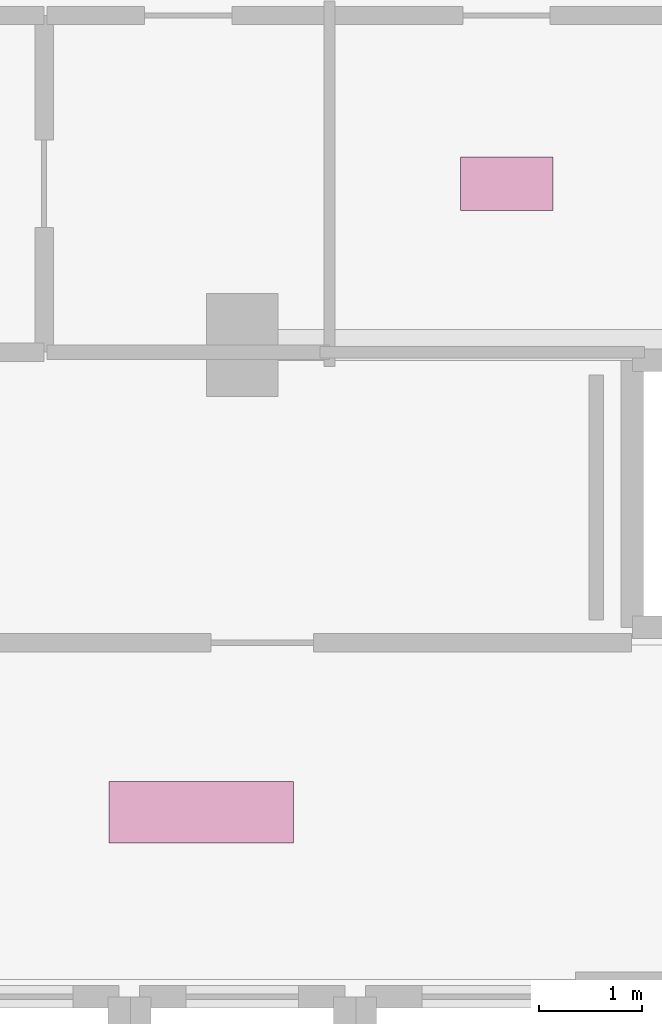
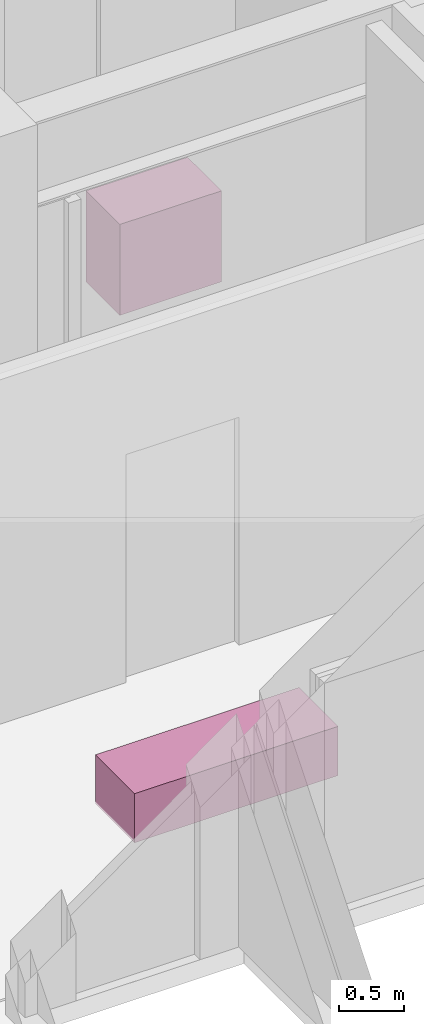
# One storey, part 31 of 31: 2 furnishings.
"""IFC4 building model written with IfcOpenShell, lengths in metres."""

from ifc_helpers import new_model, si_unit, direction, frame, origin, origin_2d, place, context, subcontext, project, spatial, rectangle, extrude, material, type_object, element, save


model = new_model("IFC4")

# Units and contexts
model_context = context("Model", 3, precision=1e-05, world=origin(), true_north=direction((0.0, 1.0)))
body_context = subcontext(model_context, "Body", "Model", "MODEL_VIEW")
ifc_project = project(units=[si_unit("LENGTHUNIT", "METRE"), si_unit("AREAUNIT", "SQUARE_METRE"), si_unit("VOLUMEUNIT", "CUBIC_METRE"), si_unit("PLANEANGLEUNIT", "RADIAN"), si_unit("MASSUNIT", "GRAM", prefix="KILO")], contexts=[model_context])

# Site, building, storey
site_placement = place(None, origin())
site = spatial("IfcSite", under=ifc_project, at=site_placement, CompositionType="ELEMENT")
building_placement = place(site_placement, origin())
building = spatial("IfcBuilding", under=site, at=building_placement, Name="Vorneva Point Tower", CompositionType="ELEMENT")
storey_placement = place(building_placement, frame((0.0, 0.0, 193.10009765625)))
storey = spatial("IfcBuildingStorey", under=building, at=storey_placement, Name="L52", CompositionType="ELEMENT", Elevation=193.10009765625)

# Furnishings
ifc_material_1 = material(Name="Engineered oak fire-rated door leaf", Category="wood")
furniture_type_1 = type_object("IfcFurnitureType", Name="FUR-BNC-1800", AssemblyPlace="NOTDEFINED", PredefinedType="NOTDEFINED", material=ifc_material_1)
furnishing_1_placement = place(storey_placement, frame((35.0, 26.0, -0.005126953125), z_axis=(0.0, 0.0, 1.0), x_axis=(1.0, 0.0, 0.0)))
element("IfcFurnishingElement", 1, at=furnishing_1_placement, inside=storey, type_object=furniture_type_1, Name="L52 Lift Lobby Seating Bench", ObjectType="L52 Lift Lobby Seating Bench", context=body_context, shape_type="SweptSolid", body=[
    extrude(rectangle(XDim=1.800048828125, YDim=0.60009765625, at=origin_2d()), origin(), (0.0, 0.0, 1.0), 0.4599609375),
])
ifc_material_2 = material(Name="Vitreous china and granite top", Category="masonry")
furniture_type_2 = type_object("IfcFurnitureType", Name="FUR-VAN-900", AssemblyPlace="NOTDEFINED", PredefinedType="NOTDEFINED", material=ifc_material_2)
furnishing_2_placement = place(storey_placement, frame((37.97509765625, 32.1201171875, -0.005126953125), z_axis=(0.0, 0.0, 1.0), x_axis=(1.0, 0.0, 0.0)))
element("IfcFurnishingElement", 2, at=furnishing_2_placement, inside=storey, type_object=furniture_type_2, Name="L52 Accessible WC Vanity Unit", ObjectType="L52 Accessible WC Vanity Unit", context=body_context, shape_type="SweptSolid", body=[
    extrude(rectangle(XDim=0.89990234375, YDim=0.52001953125, at=origin_2d()), origin(), (0.0, 0.0, 1.0), 0.85009765625),
])

save(model, "model.ifc")
